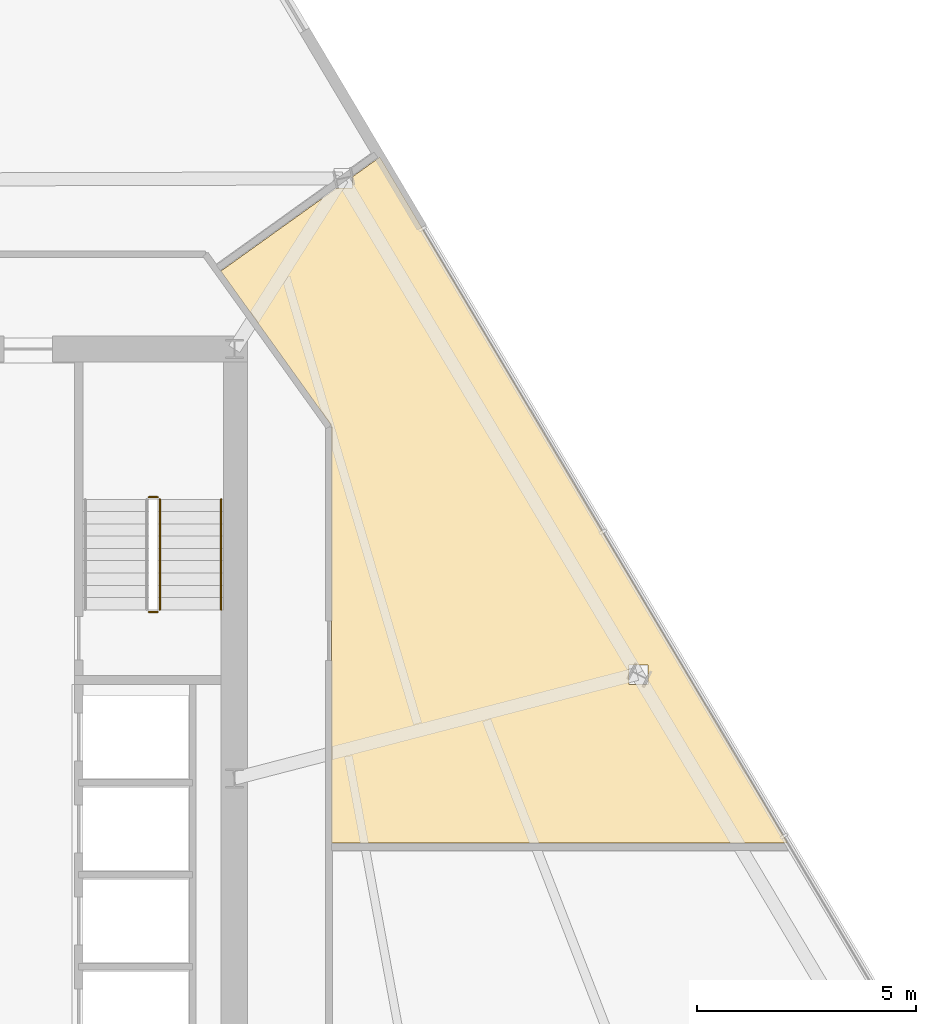
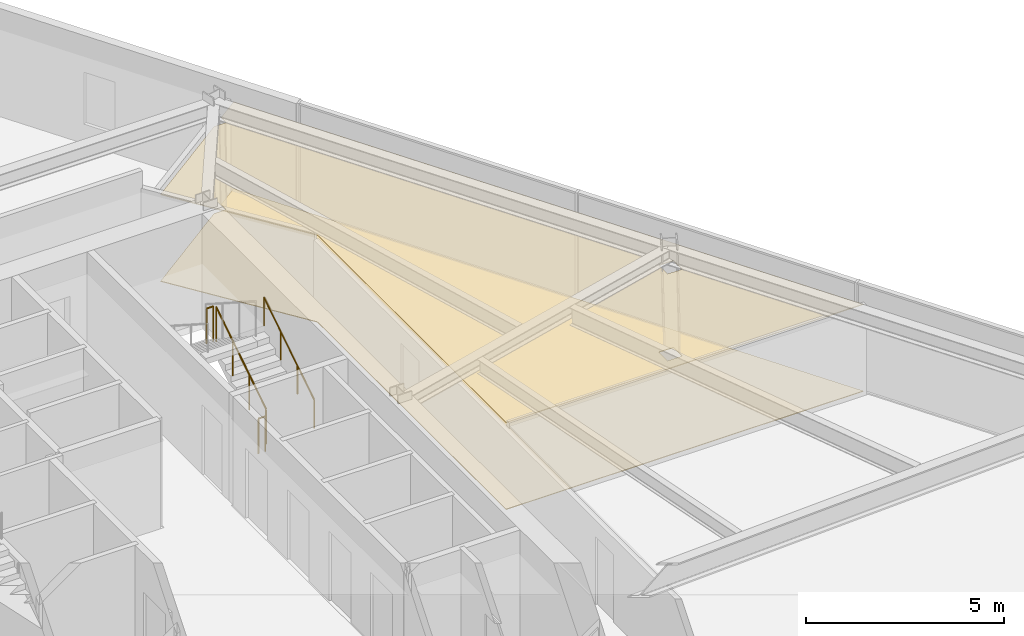
# One storey, part 13 of 15: 4 railings, 2 coverings.
"""IFC4 building model written with IfcOpenShell, lengths in metres."""

from ifc_helpers import new_model, si_unit, direction, frame, origin, origin_2d, place, context, subcontext, project, spatial, polyline, circle, outline, extrude, material, layer, layer_set, type_object, element, save


model = new_model("IFC4")

# Units and contexts
model_context = context("Model", 3, precision=1e-05, world=origin(), true_north=direction((0.0, 1.0)))
body_context = subcontext(model_context, "Body", "Model", "MODEL_VIEW")
ifc_project = project(units=[si_unit("LENGTHUNIT", "METRE"), si_unit("AREAUNIT", "SQUARE_METRE"), si_unit("VOLUMEUNIT", "CUBIC_METRE"), si_unit("PLANEANGLEUNIT", "RADIAN"), si_unit("MASSUNIT", "GRAM", prefix="KILO")], contexts=[model_context])

# Site, building, storey
site_placement = place(None, origin())
site = spatial("IfcSite", under=ifc_project, at=site_placement, CompositionType="ELEMENT")
building_placement = place(site_placement, origin())
building = spatial("IfcBuilding", under=site, at=building_placement, Name="Savorim Split Tower", CompositionType="ELEMENT")
storey_placement = place(building_placement, frame((0.0, 0.0, 86.10009765625)))
storey = spatial("IfcBuildingStorey", under=building, at=storey_placement, Name="L22", CompositionType="ELEMENT", Elevation=86.10009765625)

# Coverings
ifc_material_1 = material(Name="Mineral Fibre Acoustic Ceiling")
ifc_layer_1 = layer(ifc_material_1, 0.02490234375)
ifc_layer_set_1 = layer_set([ifc_layer_1], Name="COV-CEIL-25")
covering_type_1 = type_object("IfcCoveringType", Name="COV-CEIL-25", PredefinedType="CEILING", material=ifc_layer_set_1)
covering_1_placement = place(storey_placement, frame((0.0, 0.0, 2.669921875)))
element("IfcCovering", 1, at=covering_1_placement, inside=storey, type_object=covering_type_1, Name="L22 Co-Working Commons Acoustic Ceiling", PredefinedType="CEILING", context=body_context, shape_type="SweptSolid", body=[
    extrude(outline(polyline([(9.9169921875, 8.4287109375), (9.919189453125, 8.41455078125), (9.919921875, 8.39990234375), (9.919921875, -1.068115234375), (20.32568359375, -1.068115234375), (11.021484375, 14.579345703125), (10.402587890625, 14.135986328125), (10.402587890625, 13.876708984375), (10.040771484375, 13.876708984375), (7.389404296875, 11.97705078125), (9.893798828125, 8.4814453125), (9.901611328125, 8.46923828125), (9.908203125, 8.456298828125), (9.913330078125, 8.44287109375), (9.9169921875, 8.4287109375)]), holes=[polyline([(17.139404296875, 2.546875), (17.139404296875, 2.991943359375), (16.71044921875, 2.991943359375), (16.71044921875, 2.546875), (17.139404296875, 2.546875)])]), origin(), (0.0, 0.0, 1.0), 0.02490234375),
])
ifc_material_2 = material(Name="Porcelain Stoneware Flooring", Category="masonry")
ifc_layer_2 = layer(ifc_material_2, 0.02001953125)
ifc_layer_set_2 = layer_set([ifc_layer_2], Name="COV-FLOR-20")
covering_type_2 = type_object("IfcCoveringType", Name="COV-FLOR-20", PredefinedType="FLOORING", material=ifc_layer_set_2)
covering_2_placement = place(storey_placement, origin())
element("IfcCovering", 2, at=covering_2_placement, inside=storey, type_object=covering_type_2, Name="L22 Co-Working Commons Porcelain Flooring", PredefinedType="FLOORING", context=body_context, shape_type="SweptSolid", body=[
    extrude(outline(polyline([(9.9169921875, 8.4287109375), (9.919189453125, 8.41455078125), (9.919921875, 8.39990234375), (9.919921875, -1.068115234375), (20.32568359375, -1.068115234375), (11.021484375, 14.579345703125), (10.402587890625, 14.135986328125), (10.402587890625, 13.876708984375), (10.040771484375, 13.876708984375), (7.389404296875, 11.97705078125), (9.893798828125, 8.4814453125), (9.901611328125, 8.46923828125), (9.908203125, 8.456298828125), (9.913330078125, 8.44287109375), (9.9169921875, 8.4287109375)]), holes=[polyline([(17.139404296875, 2.546875), (17.139404296875, 2.991943359375), (16.71044921875, 2.991943359375), (16.71044921875, 2.546875), (17.139404296875, 2.546875)])]), origin(), (0.0, 0.0, 1.0), 0.02001953125),
])

# Railings
ifc_material_3 = material(Name="Galvanised Painted Steel Balustrade", Category="steel")
railing_type_1 = type_object("IfcRailingType", Name="RLG-HR-900", PredefinedType="HANDRAIL", material=ifc_material_3)
railing_1_placement = place(storey_placement, frame((7.39990234375, 4.25, 0.179931640625)))
element("IfcRailing", 3, at=railing_1_placement, inside=storey, type_object=railing_type_1, Name="L22 ST-2 stair handrail 1", PredefinedType="HANDRAIL", context=body_context, shape_type="SweptSolid", body=[
    extrude(circle(Radius=0.02392578125, at=origin_2d()), frame((0.0, 0.0, 0.8759765625), z_axis=(0.0, 0.841199657755, 0.540724639528), x_axis=(-1.0, 0.0, 0.0)), (0.0, 0.0, 1.0), 2.995849609375),
    extrude(circle(Radius=0.02099609375, at=origin_2d()), origin(), (0.0, 0.0, 1.0), 0.851806640625),
    extrude(circle(Radius=0.02099609375, at=origin_2d()), frame((0.0, 0.840087890625, 0.5400390625)), (0.0, 0.0, 1.0), 0.851806640625),
    extrude(circle(Radius=0.02099609375, at=origin_2d()), frame((0.0, 1.679931640625, 1.079833984375)), (0.0, 0.0, 1.0), 0.851806640625),
    extrude(circle(Radius=0.02099609375, at=origin_2d()), frame((0.0, 2.52001953125, 1.619873046875)), (0.0, 0.0, 1.0), 0.851806640625),
])
railing_type_2 = type_object("IfcRailingType", Name="RLG-STG-1100", PredefinedType="BALUSTRADE", material=ifc_material_3)
railing_2_placement = place(storey_placement, frame((6.0, 4.25, 0.179931640625)))
element("IfcRailing", 4, at=railing_2_placement, inside=storey, type_object=railing_type_2, Name="L22 ST-2 stair guard 1", PredefinedType="BALUSTRADE", context=body_context, shape_type="SweptSolid", body=[
    extrude(circle(Radius=0.02392578125, at=origin_2d()), frame((0.0, 0.0, 1.076171875), z_axis=(0.0, 0.841199657755, 0.540724639528), x_axis=(-1.0, 0.0, 0.0)), (0.0, 0.0, 1.0), 2.995849609375),
    extrude(circle(Radius=0.02099609375, at=origin_2d()), origin(), (0.0, 0.0, 1.0), 1.052001953125),
    extrude(circle(Radius=0.02099609375, at=origin_2d()), frame((0.0, 0.840087890625, 0.5400390625)), (0.0, 0.0, 1.0), 1.052001953125),
    extrude(circle(Radius=0.02099609375, at=origin_2d()), frame((0.0, 1.679931640625, 1.079833984375)), (0.0, 0.0, 1.0), 1.052001953125),
    extrude(circle(Radius=0.02099609375, at=origin_2d()), frame((0.0, 2.52001953125, 1.619873046875)), (0.0, 0.0, 1.0), 1.052001953125),
])
for number, where, name in (
    (5, (5.949951171875, 6.820068359375, 1.7998046875), "L22 ST-2 stair guard 2"),
    (6, (5.949951171875, 4.199951171875, 0.0), "L22 ST-2 stair guard 4"),
):
    element("IfcRailing", number, at=place(storey_placement, frame(where)), inside=storey, type_object=railing_type_2, Name=name, PredefinedType="BALUSTRADE", context=body_context, shape_type="SweptSolid", body=[
        extrude(circle(Radius=0.02392578125, at=origin_2d()), frame((0.0, 0.0, 1.076171875), z_axis=(-1.0, 0.0, 0.0), x_axis=(0.0, -1.0, 0.0)), (0.0, 0.0, 1.0), 0.199951171875),
        extrude(circle(Radius=0.02099609375, at=origin_2d()), origin(), (0.0, 0.0, 1.0), 1.052001953125),
        extrude(circle(Radius=0.02099609375, at=origin_2d()), frame((-0.199951171875, 0.0, 0.0)), (0.0, 0.0, 1.0), 1.052001953125),
    ])

save(model, "model.ifc")
